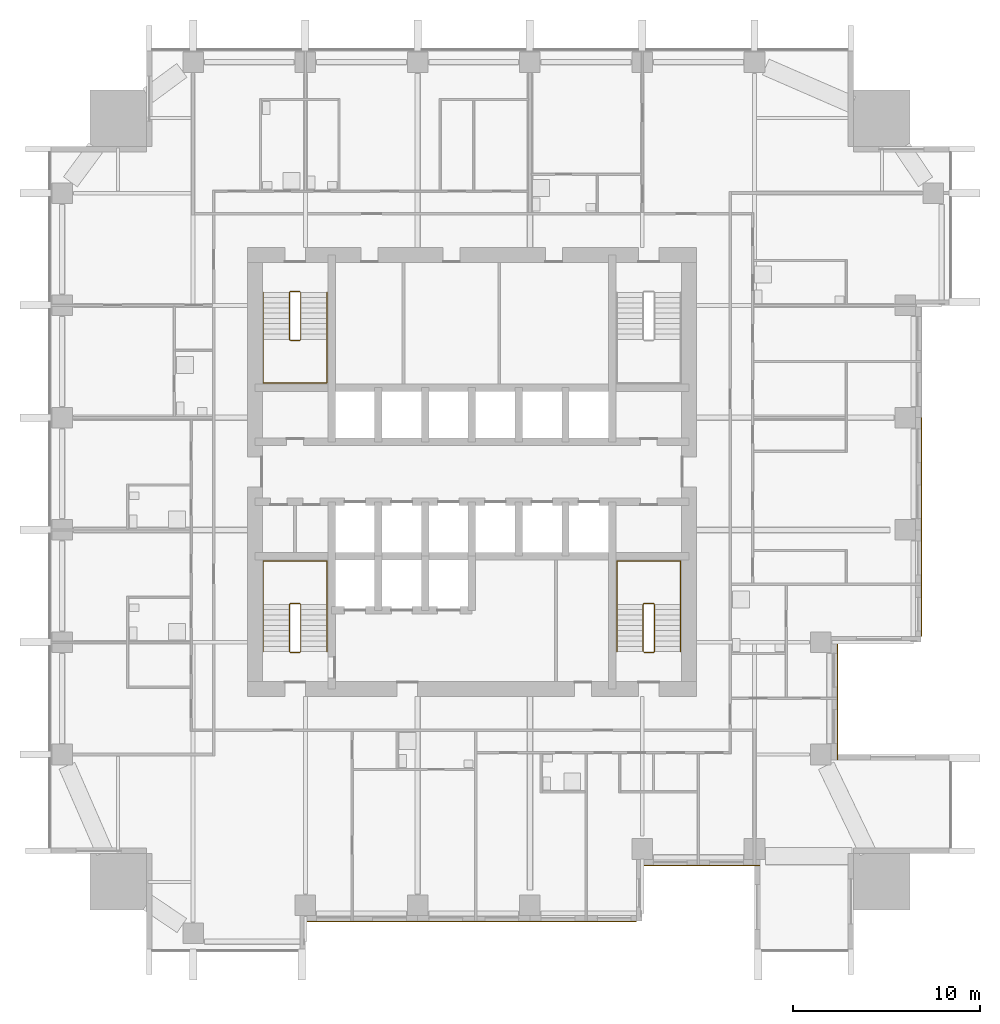
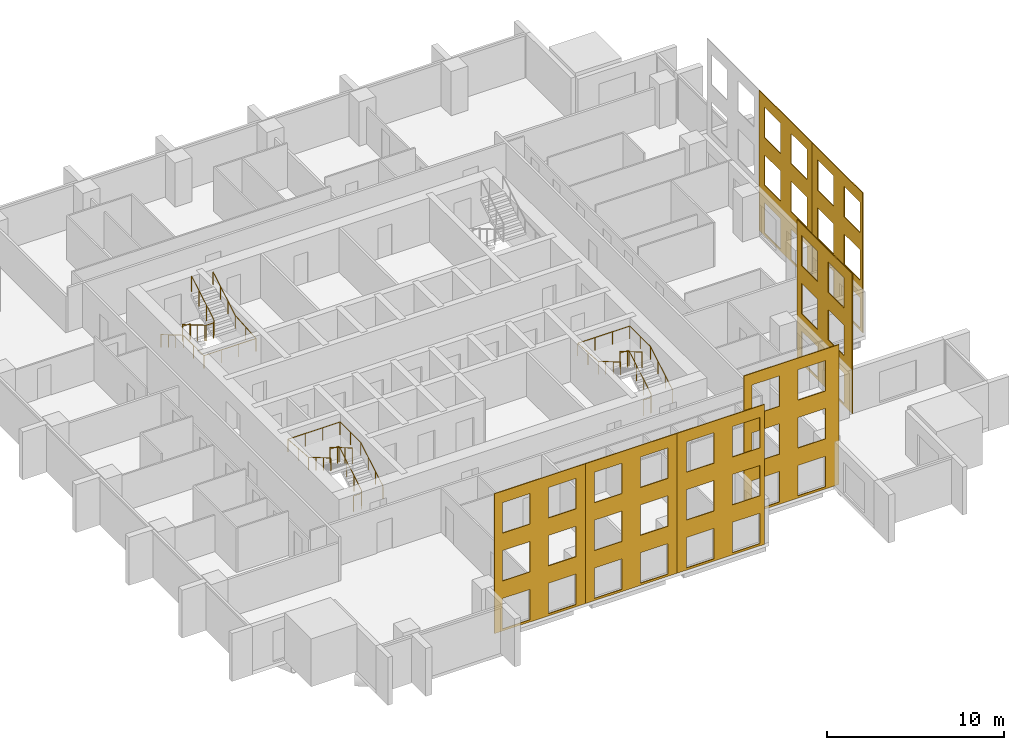
# One storey, part 11 of 13: 7 coverings, 6 railings.
"""IFC4 building model written with IfcOpenShell, lengths in metres."""

from ifc_helpers import new_model, si_unit, direction, frame, origin, origin_2d, place, context, subcontext, project, spatial, polyline, circle, outline, extrude, material, layer, layer_set, type_object, element, save


model = new_model("IFC4")

# Units and contexts
model_context = context("Model", 3, precision=1e-05, world=origin(), true_north=direction((0.0, 1.0)))
body_context = subcontext(model_context, "Body", "Model", "MODEL_VIEW")
ifc_project = project(units=[si_unit("LENGTHUNIT", "METRE"), si_unit("AREAUNIT", "SQUARE_METRE"), si_unit("VOLUMEUNIT", "CUBIC_METRE"), si_unit("PLANEANGLEUNIT", "RADIAN"), si_unit("MASSUNIT", "GRAM", prefix="KILO")], contexts=[model_context])

# Site, building, storey
site_placement = place(None, origin())
site = spatial("IfcSite", under=ifc_project, at=site_placement, CompositionType="ELEMENT")
building_placement = place(site_placement, origin())
building = spatial("IfcBuilding", under=site, at=building_placement, Name="Amberfall Residences", CompositionType="ELEMENT")
storey_placement = place(building_placement, frame((0.0, 0.0, 78.699951171875)))
storey = spatial("IfcBuildingStorey", under=building, at=storey_placement, Name="L20", CompositionType="ELEMENT", Elevation=78.699951171875)

# Coverings
ifc_material_1 = material(Name="Pale limestone cladding", Category="masonry")
ifc_layer = layer(ifc_material_1, 0.050048828125)
ifc_layer_set = layer_set([ifc_layer], Name="Limestone fascia 50")
covering_type = type_object("IfcCoveringType", Name="Limestone fascia 50", PredefinedType="CLADDING", material=ifc_layer_set)
covering_1_placement = place(storey_placement, frame((65.68994140625, 21.5, 9.650146484375), z_axis=(0.0, 1.0, 0.0), x_axis=(1.0, 0.0, 0.0)))
element("IfcCovering", 1, at=covering_1_placement, inside=storey, type_object=covering_type, Name="Pale limestone cladding L20-L22 S", PredefinedType="CLADDING", context=body_context, shape_type="SweptSolid", body=[
    extrude(outline(polyline([(0.0, 0.0), (5.91015625, 0.0), (5.91015625, 9.650146484375), (0.0, 9.650146484375), (0.0, 0.0)]), holes=[polyline([(0.510009765625, 7.400146484375), (2.31005859375, 7.400146484375), (2.31005859375, 9.5), (0.510009765625, 9.5), (0.510009765625, 7.400146484375)]), polyline([(3.510009765625, 7.400146484375), (5.31005859375, 7.400146484375), (5.31005859375, 9.5), (3.510009765625, 9.5), (3.510009765625, 7.400146484375)]), polyline([(0.510009765625, 4.10009765625), (2.31005859375, 4.10009765625), (2.31005859375, 6.2001953125), (0.510009765625, 6.2001953125), (0.510009765625, 4.10009765625)]), polyline([(3.510009765625, 4.10009765625), (5.31005859375, 4.10009765625), (5.31005859375, 6.2001953125), (3.510009765625, 6.2001953125), (3.510009765625, 4.10009765625)]), polyline([(0.510009765625, 0.800048828125), (2.31005859375, 0.800048828125), (2.31005859375, 2.900146484375), (0.510009765625, 2.900146484375), (0.510009765625, 0.800048828125)]), polyline([(3.510009765625, 0.800048828125), (5.31005859375, 0.800048828125), (5.31005859375, 2.900146484375), (3.510009765625, 2.900146484375), (3.510009765625, 0.800048828125)])]), origin(), (0.0, 0.0, -1.0), 0.050048828125),
])
covering_2_placement = place(storey_placement, frame((94.0, 30.10009765625, 9.650146484375), z_axis=(-1.0, 0.0, 0.0), x_axis=(0.0, 1.0, 0.0)))
element("IfcCovering", 2, at=covering_2_placement, inside=storey, type_object=covering_type, Name="Pale limestone cladding L20-L22 E", PredefinedType="CLADDING", context=body_context, shape_type="SweptSolid", body=[
    extrude(outline(polyline([(0.0, 0.0), (6.2099609375, 0.0), (6.2099609375, 9.650146484375), (0.0, 9.650146484375), (0.0, 0.0)]), holes=[polyline([(0.89990234375, 7.400146484375), (2.699951171875, 7.400146484375), (2.699951171875, 9.5), (0.89990234375, 9.5), (0.89990234375, 7.400146484375)]), polyline([(3.89990234375, 7.400146484375), (5.699951171875, 7.400146484375), (5.699951171875, 9.5), (3.89990234375, 9.5), (3.89990234375, 7.400146484375)]), polyline([(0.89990234375, 4.10009765625), (2.699951171875, 4.10009765625), (2.699951171875, 6.2001953125), (0.89990234375, 6.2001953125), (0.89990234375, 4.10009765625)]), polyline([(3.89990234375, 4.10009765625), (5.699951171875, 4.10009765625), (5.699951171875, 6.2001953125), (3.89990234375, 6.2001953125), (3.89990234375, 4.10009765625)]), polyline([(0.89990234375, 0.800048828125), (2.699951171875, 0.800048828125), (2.699951171875, 2.900146484375), (0.89990234375, 2.900146484375), (0.89990234375, 0.800048828125)]), polyline([(3.89990234375, 0.800048828125), (5.699951171875, 0.800048828125), (5.699951171875, 2.900146484375), (3.89990234375, 2.900146484375), (3.89990234375, 0.800048828125)])]), origin(), (0.0, 0.0, -1.0), 0.050048828125),
])
covering_3_placement = place(storey_placement, frame((71.60009765625, 21.5, 9.650146484375), z_axis=(0.0, 1.0, 0.0), x_axis=(1.0, 0.0, 0.0)))
element("IfcCovering", 3, at=covering_3_placement, inside=storey, type_object=covering_type, Name="Pale limestone cladding L20-L22 S", PredefinedType="CLADDING", context=body_context, shape_type="SweptSolid", body=[
    extrude(outline(polyline([(0.0, 0.0), (6.0, 0.0), (6.0, 9.650146484375), (0.0, 9.650146484375), (0.0, 0.0)]), holes=[polyline([(0.599853515625, 7.400146484375), (2.39990234375, 7.400146484375), (2.39990234375, 9.5), (0.599853515625, 9.5), (0.599853515625, 7.400146484375)]), polyline([(3.599853515625, 7.400146484375), (5.39990234375, 7.400146484375), (5.39990234375, 9.5), (3.599853515625, 9.5), (3.599853515625, 7.400146484375)]), polyline([(0.599853515625, 4.10009765625), (2.39990234375, 4.10009765625), (2.39990234375, 6.2001953125), (0.599853515625, 6.2001953125), (0.599853515625, 4.10009765625)]), polyline([(3.599853515625, 4.10009765625), (5.39990234375, 4.10009765625), (5.39990234375, 6.2001953125), (3.599853515625, 6.2001953125), (3.599853515625, 4.10009765625)]), polyline([(0.599853515625, 0.800048828125), (2.39990234375, 0.800048828125), (2.39990234375, 2.900146484375), (0.599853515625, 2.900146484375), (0.599853515625, 0.800048828125)]), polyline([(3.599853515625, 0.800048828125), (5.39990234375, 0.800048828125), (5.39990234375, 2.900146484375), (3.599853515625, 2.900146484375), (3.599853515625, 0.800048828125)])]), origin(), (0.0, 0.0, -1.0), 0.050048828125),
])
covering_4_placement = place(storey_placement, frame((77.60009765625, 21.5, 9.650146484375), z_axis=(0.0, 1.0, 0.0), x_axis=(1.0, 0.0, 0.0)))
element("IfcCovering", 4, at=covering_4_placement, inside=storey, type_object=covering_type, Name="Pale limestone cladding L20-L22 S", PredefinedType="CLADDING", context=body_context, shape_type="SweptSolid", body=[
    extrude(outline(polyline([(0.0, 0.0), (5.699951171875, 0.0), (5.699951171875, 9.650146484375), (0.0, 9.650146484375), (0.0, 0.0)]), holes=[polyline([(0.599853515625, 7.400146484375), (2.39990234375, 7.400146484375), (2.39990234375, 9.5), (0.599853515625, 9.5), (0.599853515625, 7.400146484375)]), polyline([(3.599853515625, 7.400146484375), (5.39990234375, 7.400146484375), (5.39990234375, 9.5), (3.599853515625, 9.5), (3.599853515625, 7.400146484375)]), polyline([(0.599853515625, 4.10009765625), (2.39990234375, 4.10009765625), (2.39990234375, 6.2001953125), (0.599853515625, 6.2001953125), (0.599853515625, 4.10009765625)]), polyline([(3.599853515625, 4.10009765625), (5.39990234375, 4.10009765625), (5.39990234375, 6.2001953125), (3.599853515625, 6.2001953125), (3.599853515625, 4.10009765625)]), polyline([(0.599853515625, 0.800048828125), (2.39990234375, 0.800048828125), (2.39990234375, 2.900146484375), (0.599853515625, 2.900146484375), (0.599853515625, 0.800048828125)]), polyline([(3.599853515625, 0.800048828125), (5.39990234375, 0.800048828125), (5.39990234375, 2.900146484375), (3.599853515625, 2.900146484375), (3.599853515625, 0.800048828125)])]), origin(), (0.0, 0.0, -1.0), 0.050048828125),
])
covering_5_placement = place(storey_placement, frame((83.68994140625, 24.5, 9.650146484375), z_axis=(0.0, 1.0, 0.0), x_axis=(1.0, 0.0, 0.0)))
element("IfcCovering", 5, at=covering_5_placement, inside=storey, type_object=covering_type, Name="Pale limestone cladding L20-L22 S", PredefinedType="CLADDING", context=body_context, shape_type="SweptSolid", body=[
    extrude(outline(polyline([(0.0, 0.0), (6.2099609375, 0.0), (6.2099609375, 9.650146484375), (0.0, 9.650146484375), (0.0, 0.0)]), holes=[polyline([(0.510009765625, 7.400146484375), (2.31005859375, 7.400146484375), (2.31005859375, 9.5), (0.510009765625, 9.5), (0.510009765625, 7.400146484375)]), polyline([(3.510009765625, 7.400146484375), (5.31005859375, 7.400146484375), (5.31005859375, 9.5), (3.510009765625, 9.5), (3.510009765625, 7.400146484375)]), polyline([(0.510009765625, 4.10009765625), (2.31005859375, 4.10009765625), (2.31005859375, 6.2001953125), (0.510009765625, 6.2001953125), (0.510009765625, 4.10009765625)]), polyline([(3.510009765625, 4.10009765625), (5.31005859375, 4.10009765625), (5.31005859375, 6.2001953125), (3.510009765625, 6.2001953125), (3.510009765625, 4.10009765625)]), polyline([(0.510009765625, 0.800048828125), (2.31005859375, 0.800048828125), (2.31005859375, 2.900146484375), (0.510009765625, 2.900146484375), (0.510009765625, 0.800048828125)]), polyline([(3.510009765625, 0.800048828125), (5.31005859375, 0.800048828125), (5.31005859375, 2.900146484375), (3.510009765625, 2.900146484375), (3.510009765625, 0.800048828125)])]), origin(), (0.0, 0.0, -1.0), 0.050048828125),
])
covering_6_placement = place(storey_placement, frame((98.5, 36.699951171875, 9.650146484375), z_axis=(-1.0, 0.0, 0.0), x_axis=(0.0, 1.0, 0.0)))
element("IfcCovering", 6, at=covering_6_placement, inside=storey, type_object=covering_type, Name="Pale limestone cladding L20-L22 E", PredefinedType="CLADDING", context=body_context, shape_type="SweptSolid", body=[
    extrude(outline(polyline([(0.0, 0.0), (5.699951171875, 0.0), (5.699951171875, 9.650146484375), (0.0, 9.650146484375), (0.0, 0.0)]), holes=[polyline([(0.300048828125, 7.400146484375), (2.10009765625, 7.400146484375), (2.10009765625, 9.5), (0.300048828125, 9.5), (0.300048828125, 7.400146484375)]), polyline([(3.300048828125, 7.400146484375), (5.10009765625, 7.400146484375), (5.10009765625, 9.5), (3.300048828125, 9.5), (3.300048828125, 7.400146484375)]), polyline([(0.300048828125, 4.10009765625), (2.10009765625, 4.10009765625), (2.10009765625, 6.2001953125), (0.300048828125, 6.2001953125), (0.300048828125, 4.10009765625)]), polyline([(3.300048828125, 4.10009765625), (5.10009765625, 4.10009765625), (5.10009765625, 6.2001953125), (3.300048828125, 6.2001953125), (3.300048828125, 4.10009765625)]), polyline([(0.300048828125, 0.800048828125), (2.10009765625, 0.800048828125), (2.10009765625, 2.900146484375), (0.300048828125, 2.900146484375), (0.300048828125, 0.800048828125)]), polyline([(3.300048828125, 0.800048828125), (5.10009765625, 0.800048828125), (5.10009765625, 2.900146484375), (3.300048828125, 2.900146484375), (3.300048828125, 0.800048828125)])]), origin(), (0.0, 0.0, -1.0), 0.050048828125),
])
covering_7_placement = place(storey_placement, frame((98.5, 42.39990234375, 9.650146484375), z_axis=(-1.0, 0.0, 0.0), x_axis=(0.0, 1.0, 0.0)))
element("IfcCovering", 7, at=covering_7_placement, inside=storey, type_object=covering_type, Name="Pale limestone cladding L20-L22 E", PredefinedType="CLADDING", context=body_context, shape_type="SweptSolid", body=[
    extrude(outline(polyline([(0.0, 0.0), (6.0, 0.0), (6.0, 9.650146484375), (0.0, 9.650146484375), (0.0, 0.0)]), holes=[polyline([(0.60009765625, 7.400146484375), (2.400146484375, 7.400146484375), (2.400146484375, 9.5), (0.60009765625, 9.5), (0.60009765625, 7.400146484375)]), polyline([(3.60009765625, 7.400146484375), (5.400146484375, 7.400146484375), (5.400146484375, 9.5), (3.60009765625, 9.5), (3.60009765625, 7.400146484375)]), polyline([(0.60009765625, 4.10009765625), (2.400146484375, 4.10009765625), (2.400146484375, 6.2001953125), (0.60009765625, 6.2001953125), (0.60009765625, 4.10009765625)]), polyline([(3.60009765625, 4.10009765625), (5.400146484375, 4.10009765625), (5.400146484375, 6.2001953125), (3.60009765625, 6.2001953125), (3.60009765625, 4.10009765625)]), polyline([(0.60009765625, 0.800048828125), (2.400146484375, 0.800048828125), (2.400146484375, 2.900146484375), (0.60009765625, 2.900146484375), (0.60009765625, 0.800048828125)]), polyline([(3.60009765625, 0.800048828125), (5.400146484375, 0.800048828125), (5.400146484375, 2.900146484375), (3.60009765625, 2.900146484375), (3.60009765625, 0.800048828125)])]), origin(), (0.0, 0.0, -1.0), 0.050048828125),
])

# Railings
ifc_material_2 = material(Name="Stainless steel 316", Category="steel")
railing_type_1 = type_object("IfcRailingType", Name="Stair guard 1100", PredefinedType="GUARDRAIL", material=ifc_material_2)
railing_1_placement = place(storey_placement, frame((64.800048828125, 35.85009765625, 0.0)))
element("IfcRailing", 8, at=railing_1_placement, inside=storey, type_object=railing_type_1, Name="L20 stair 1 guard", PredefinedType="GUARDRAIL", context=body_context, shape_type="SweptSolid", body=[
    extrude(circle(Radius=0.02392578125, at=origin_2d()), frame((0.0, 0.0, 1.076171875), z_axis=(1.0, 0.0, 0.0), x_axis=(0.0, 1.0, 0.0)), (0.0, 0.0, 1.0), 0.5),
    extrude(circle(Radius=0.02392578125, at=origin_2d()), frame((0.5, 0.0, 1.076171875), z_axis=(0.278810427259, 0.277450376394, 0.919394384522), x_axis=(-0.705375805398, 0.708833529934, 0.0)), (0.0, 0.0, 1.0), 0.179443359375),
    extrude(circle(Radius=0.02392578125, at=origin_2d()), frame((0.550048828125, 0.0498046875, 1.2412109375), z_axis=(0.0, 0.86152411907, 0.507716645641), x_axis=(-1.0, 0.0, 0.0)), (0.0, 0.0, 1.0), 2.925048828125),
    extrude(circle(Radius=0.02392578125, at=origin_2d()), frame((0.550048828125, 2.56982421875, 2.72607421875), z_axis=(-0.707106781187, 0.707106781187, 0.0), x_axis=(-0.707106781187, -0.707106781187, 0.0)), (0.0, 0.0, 1.0), 0.07080078125),
    extrude(circle(Radius=0.02392578125, at=origin_2d()), frame((0.5, 2.619873046875, 2.72607421875), z_axis=(-1.0, 0.0, 0.0), x_axis=(0.0, -1.0, 0.0)), (0.0, 0.0, 1.0), 0.5),
    extrude(circle(Radius=0.02392578125, at=origin_2d()), frame((0.0, 2.619873046875, 2.72607421875), z_axis=(-0.279053652268, -0.279053652268, 0.918835196492), x_axis=(0.707106781187, -0.707106781187, 0.0)), (0.0, 0.0, 1.0), 0.179443359375),
    extrude(circle(Radius=0.02392578125, at=origin_2d()), frame((-0.050048828125, 2.56982421875, 2.89111328125), z_axis=(0.0, -0.86152411907, 0.507716645641), x_axis=(1.0, 0.0, 0.0)), (0.0, 0.0, 1.0), 2.925048828125),
    extrude(circle(Radius=0.02099609375, at=origin_2d()), origin(), (0.0, 0.0, 1.0), 1.052001953125),
    extrude(circle(Radius=0.02099609375, at=origin_2d()), frame((0.5, 0.0, 0.0)), (0.0, 0.0, 1.0), 1.052001953125),
    extrude(circle(Radius=0.02099609375, at=origin_2d()), frame((0.550048828125, 0.0498046875, 0.1650390625)), (0.0, 0.0, 1.0), 1.052001953125),
    extrude(circle(Radius=0.02099609375, at=origin_2d()), frame((0.550048828125, 0.889892578125, 0.66015625)), (0.0, 0.0, 1.0), 1.052001953125),
    extrude(circle(Radius=0.02099609375, at=origin_2d()), frame((0.550048828125, 1.729736328125, 1.155029296875)), (0.0, 0.0, 1.0), 1.052001953125),
    extrude(circle(Radius=0.02099609375, at=origin_2d()), frame((0.550048828125, 2.56982421875, 1.650146484375)), (0.0, 0.0, 1.0), 1.052001953125),
    extrude(circle(Radius=0.02099609375, at=origin_2d()), frame((0.5, 2.619873046875, 1.650146484375)), (0.0, 0.0, 1.0), 1.052001953125),
    extrude(circle(Radius=0.02099609375, at=origin_2d()), frame((0.0, 2.619873046875, 1.650146484375)), (0.0, 0.0, 1.0), 1.052001953125),
    extrude(circle(Radius=0.02099609375, at=origin_2d()), frame((-0.050048828125, 2.56982421875, 1.81494140625)), (0.0, 0.0, 1.0), 1.052001953125),
    extrude(circle(Radius=0.02099609375, at=origin_2d()), frame((-0.050048828125, 1.729736328125, 2.31005859375)), (0.0, 0.0, 1.0), 1.052001953125),
    extrude(circle(Radius=0.02099609375, at=origin_2d()), frame((-0.050048828125, 0.889892578125, 2.804931640625)), (0.0, 0.0, 1.0), 1.052001953125),
    extrude(circle(Radius=0.02099609375, at=origin_2d()), frame((-0.050048828125, 0.0498046875, 3.300048828125)), (0.0, 0.0, 1.0), 1.052001953125),
])
railing_2_placement = place(storey_placement, frame((83.699951171875, 35.85009765625, 0.0)))
element("IfcRailing", 9, at=railing_2_placement, inside=storey, type_object=railing_type_1, Name="L20 stair 2 guard", PredefinedType="GUARDRAIL", context=body_context, shape_type="SweptSolid", body=[
    extrude(circle(Radius=0.02392578125, at=origin_2d()), frame((0.0, 0.0, 1.076171875), z_axis=(1.0, 0.0, 0.0), x_axis=(0.0, 1.0, 0.0)), (0.0, 0.0, 1.0), 0.5),
    extrude(circle(Radius=0.02392578125, at=origin_2d()), frame((0.5, 0.0, 1.076171875), z_axis=(0.278810427259, 0.277450376394, 0.919394384522), x_axis=(-0.705375805398, 0.708833529934, 0.0)), (0.0, 0.0, 1.0), 0.179443359375),
    extrude(circle(Radius=0.02392578125, at=origin_2d()), frame((0.550048828125, 0.0498046875, 1.2412109375), z_axis=(0.0, 0.86152411907, 0.507716645641), x_axis=(-1.0, 0.0, 0.0)), (0.0, 0.0, 1.0), 2.925048828125),
    extrude(circle(Radius=0.02392578125, at=origin_2d()), frame((0.550048828125, 2.56982421875, 2.72607421875), z_axis=(-0.707106781187, 0.707106781187, 0.0), x_axis=(-0.707106781187, -0.707106781187, 0.0)), (0.0, 0.0, 1.0), 0.07080078125),
    extrude(circle(Radius=0.02392578125, at=origin_2d()), frame((0.5, 2.619873046875, 2.72607421875), z_axis=(-1.0, 0.0, 0.0), x_axis=(0.0, -1.0, 0.0)), (0.0, 0.0, 1.0), 0.5),
    extrude(circle(Radius=0.02392578125, at=origin_2d()), frame((0.0, 2.619873046875, 2.72607421875), z_axis=(-0.279053652268, -0.279053652268, 0.918835196492), x_axis=(0.707106781187, -0.707106781187, 0.0)), (0.0, 0.0, 1.0), 0.179443359375),
    extrude(circle(Radius=0.02392578125, at=origin_2d()), frame((-0.050048828125, 2.56982421875, 2.89111328125), z_axis=(0.0, -0.86152411907, 0.507716645641), x_axis=(1.0, 0.0, 0.0)), (0.0, 0.0, 1.0), 2.925048828125),
    extrude(circle(Radius=0.02099609375, at=origin_2d()), origin(), (0.0, 0.0, 1.0), 1.052001953125),
    extrude(circle(Radius=0.02099609375, at=origin_2d()), frame((0.5, 0.0, 0.0)), (0.0, 0.0, 1.0), 1.052001953125),
    extrude(circle(Radius=0.02099609375, at=origin_2d()), frame((0.550048828125, 0.0498046875, 0.1650390625)), (0.0, 0.0, 1.0), 1.052001953125),
    extrude(circle(Radius=0.02099609375, at=origin_2d()), frame((0.550048828125, 0.889892578125, 0.66015625)), (0.0, 0.0, 1.0), 1.052001953125),
    extrude(circle(Radius=0.02099609375, at=origin_2d()), frame((0.550048828125, 1.729736328125, 1.155029296875)), (0.0, 0.0, 1.0), 1.052001953125),
    extrude(circle(Radius=0.02099609375, at=origin_2d()), frame((0.550048828125, 2.56982421875, 1.650146484375)), (0.0, 0.0, 1.0), 1.052001953125),
    extrude(circle(Radius=0.02099609375, at=origin_2d()), frame((0.5, 2.619873046875, 1.650146484375)), (0.0, 0.0, 1.0), 1.052001953125),
    extrude(circle(Radius=0.02099609375, at=origin_2d()), frame((0.0, 2.619873046875, 1.650146484375)), (0.0, 0.0, 1.0), 1.052001953125),
    extrude(circle(Radius=0.02099609375, at=origin_2d()), frame((-0.050048828125, 2.56982421875, 1.81494140625)), (0.0, 0.0, 1.0), 1.052001953125),
    extrude(circle(Radius=0.02099609375, at=origin_2d()), frame((-0.050048828125, 1.729736328125, 2.31005859375)), (0.0, 0.0, 1.0), 1.052001953125),
    extrude(circle(Radius=0.02099609375, at=origin_2d()), frame((-0.050048828125, 0.889892578125, 2.804931640625)), (0.0, 0.0, 1.0), 1.052001953125),
    extrude(circle(Radius=0.02099609375, at=origin_2d()), frame((-0.050048828125, 0.0498046875, 3.300048828125)), (0.0, 0.0, 1.0), 1.052001953125),
])
railing_3_placement = place(storey_placement, frame((65.300048828125, 55.14990234375, 0.0)))
element("IfcRailing", 10, at=railing_3_placement, inside=storey, type_object=railing_type_1, Name="L20 stair 4 guard", PredefinedType="GUARDRAIL", context=body_context, shape_type="SweptSolid", body=[
    extrude(circle(Radius=0.02392578125, at=origin_2d()), frame((0.0, 0.0, 1.076171875), z_axis=(-1.0, 0.0, 0.0), x_axis=(0.0, -1.0, 0.0)), (0.0, 0.0, 1.0), 0.5),
    extrude(circle(Radius=0.02392578125, at=origin_2d()), frame((-0.5, 0.0, 1.076171875), z_axis=(-0.278810427259, -0.277450376394, 0.919394384522), x_axis=(0.705375805398, -0.708833529934, 0.0)), (0.0, 0.0, 1.0), 0.179443359375),
    extrude(circle(Radius=0.02392578125, at=origin_2d()), frame((-0.550048828125, -0.0498046875, 1.2412109375), z_axis=(0.0, -0.86152411907, 0.507716645641), x_axis=(1.0, 0.0, 0.0)), (0.0, 0.0, 1.0), 2.925048828125),
    extrude(circle(Radius=0.02392578125, at=origin_2d()), frame((-0.550048828125, -2.56982421875, 2.72607421875), z_axis=(0.707106781187, -0.707106781187, 0.0), x_axis=(0.707106781187, 0.707106781187, 0.0)), (0.0, 0.0, 1.0), 0.07080078125),
    extrude(circle(Radius=0.02392578125, at=origin_2d()), frame((-0.5, -2.619873046875, 2.72607421875), z_axis=(1.0, 0.0, 0.0), x_axis=(0.0, 1.0, 0.0)), (0.0, 0.0, 1.0), 0.5),
    extrude(circle(Radius=0.02392578125, at=origin_2d()), frame((0.0, -2.619873046875, 2.72607421875), z_axis=(0.279053652268, 0.279053652268, 0.918835196492), x_axis=(-0.707106781187, 0.707106781187, 0.0)), (0.0, 0.0, 1.0), 0.179443359375),
    extrude(circle(Radius=0.02392578125, at=origin_2d()), frame((0.050048828125, -2.56982421875, 2.89111328125), z_axis=(0.0, 0.86152411907, 0.507716645641), x_axis=(-1.0, 0.0, 0.0)), (0.0, 0.0, 1.0), 2.925048828125),
    extrude(circle(Radius=0.02099609375, at=origin_2d()), origin(), (0.0, 0.0, 1.0), 1.052001953125),
    extrude(circle(Radius=0.02099609375, at=origin_2d()), frame((-0.5, 0.0, 0.0)), (0.0, 0.0, 1.0), 1.052001953125),
    extrude(circle(Radius=0.02099609375, at=origin_2d()), frame((-0.550048828125, -0.0498046875, 0.1650390625)), (0.0, 0.0, 1.0), 1.052001953125),
    extrude(circle(Radius=0.02099609375, at=origin_2d()), frame((-0.550048828125, -0.889892578125, 0.66015625)), (0.0, 0.0, 1.0), 1.052001953125),
    extrude(circle(Radius=0.02099609375, at=origin_2d()), frame((-0.550048828125, -1.729736328125, 1.155029296875)), (0.0, 0.0, 1.0), 1.052001953125),
    extrude(circle(Radius=0.02099609375, at=origin_2d()), frame((-0.550048828125, -2.56982421875, 1.650146484375)), (0.0, 0.0, 1.0), 1.052001953125),
    extrude(circle(Radius=0.02099609375, at=origin_2d()), frame((-0.5, -2.619873046875, 1.650146484375)), (0.0, 0.0, 1.0), 1.052001953125),
    extrude(circle(Radius=0.02099609375, at=origin_2d()), frame((0.0, -2.619873046875, 1.650146484375)), (0.0, 0.0, 1.0), 1.052001953125),
    extrude(circle(Radius=0.02099609375, at=origin_2d()), frame((0.050048828125, -2.56982421875, 1.81494140625)), (0.0, 0.0, 1.0), 1.052001953125),
    extrude(circle(Radius=0.02099609375, at=origin_2d()), frame((0.050048828125, -1.729736328125, 2.31005859375)), (0.0, 0.0, 1.0), 1.052001953125),
    extrude(circle(Radius=0.02099609375, at=origin_2d()), frame((0.050048828125, -0.889892578125, 2.804931640625)), (0.0, 0.0, 1.0), 1.052001953125),
    extrude(circle(Radius=0.02099609375, at=origin_2d()), frame((0.050048828125, -0.0498046875, 3.300048828125)), (0.0, 0.0, 1.0), 1.052001953125),
])
railing_type_2 = type_object("IfcRailingType", Name="Stair handrail 900", PredefinedType="HANDRAIL", material=ifc_material_2)
railing_4_placement = place(storey_placement, frame((66.75, 35.89990234375, 0.1650390625)))
element("IfcRailing", 11, at=railing_4_placement, inside=storey, type_object=railing_type_2, Name="L20 stair 1 handrail", PredefinedType="HANDRAIL", context=body_context, shape_type="SweptSolid", body=[
    extrude(circle(Radius=0.02392578125, at=origin_2d()), frame((0.0, 0.0, 0.8759765625), z_axis=(0.0, 0.86152411907, 0.507716645641), x_axis=(-1.0, 0.0, 0.0)), (0.0, 0.0, 1.0), 2.925048828125),
    extrude(circle(Radius=0.02392578125, at=origin_2d()), frame((0.0, 2.52001953125, 2.36083984375), z_axis=(0.0, 1.0, 0.0), x_axis=(-1.0, 0.0, 0.0)), (0.0, 0.0, 1.0), 2.330078125),
    extrude(circle(Radius=0.02392578125, at=origin_2d()), frame((0.0, 4.85009765625, 2.36083984375), z_axis=(-1.0, 0.0, 0.0), x_axis=(0.0, -1.0, 0.0)), (0.0, 0.0, 1.0), 3.39990234375),
    extrude(circle(Radius=0.02392578125, at=origin_2d()), frame((-3.39990234375, 4.85009765625, 2.36083984375), z_axis=(0.0, -0.997508326432, 0.070548839097), x_axis=(1.0, 0.0, 0.0)), (0.0, 0.0, 1.0), 2.3359375),
    extrude(circle(Radius=0.02392578125, at=origin_2d()), frame((-3.39990234375, 2.52001953125, 2.52587890625), z_axis=(0.0, -0.86152411907, 0.507716645641), x_axis=(1.0, 0.0, 0.0)), (0.0, 0.0, 1.0), 2.925048828125),
    extrude(circle(Radius=0.02099609375, at=origin_2d()), origin(), (0.0, 0.0, 1.0), 0.851806640625),
    extrude(circle(Radius=0.02099609375, at=origin_2d()), frame((0.0, 0.840087890625, 0.4951171875)), (0.0, 0.0, 1.0), 0.851806640625),
    extrude(circle(Radius=0.02099609375, at=origin_2d()), frame((0.0, 1.679931640625, 0.989990234375)), (0.0, 0.0, 1.0), 0.851806640625),
    extrude(circle(Radius=0.02099609375, at=origin_2d()), frame((0.0, 2.52001953125, 1.485107421875)), (0.0, 0.0, 1.0), 0.851806640625),
    extrude(circle(Radius=0.02099609375, at=origin_2d()), frame((0.0, 3.68505859375, 1.485107421875)), (0.0, 0.0, 1.0), 0.851806640625),
    extrude(circle(Radius=0.02099609375, at=origin_2d()), frame((0.0, 4.85009765625, 1.485107421875)), (0.0, 0.0, 1.0), 0.851806640625),
    extrude(circle(Radius=0.02099609375, at=origin_2d()), frame((-1.13330078125, 4.85009765625, 1.485107421875)), (0.0, 0.0, 1.0), 0.851806640625),
    extrude(circle(Radius=0.02099609375, at=origin_2d()), frame((-2.2666015625, 4.85009765625, 1.485107421875)), (0.0, 0.0, 1.0), 0.851806640625),
    extrude(circle(Radius=0.02099609375, at=origin_2d()), frame((-3.39990234375, 4.85009765625, 1.485107421875)), (0.0, 0.0, 1.0), 0.851806640625),
    extrude(circle(Radius=0.02099609375, at=origin_2d()), frame((-3.39990234375, 3.68505859375, 1.5673828125)), (0.0, 0.0, 1.0), 0.851806640625),
    extrude(circle(Radius=0.02099609375, at=origin_2d()), frame((-3.39990234375, 2.52001953125, 1.64990234375)), (0.0, 0.0, 1.0), 0.851806640625),
    extrude(circle(Radius=0.02099609375, at=origin_2d()), frame((-3.39990234375, 1.679931640625, 2.14501953125)), (0.0, 0.0, 1.0), 0.851806640625),
    extrude(circle(Radius=0.02099609375, at=origin_2d()), frame((-3.39990234375, 0.840087890625, 2.639892578125)), (0.0, 0.0, 1.0), 0.851806640625),
    extrude(circle(Radius=0.02099609375, at=origin_2d()), frame((-3.39990234375, 0.0, 3.135009765625)), (0.0, 0.0, 1.0), 0.851806640625),
])
railing_5_placement = place(storey_placement, frame((85.64990234375, 35.89990234375, 0.1650390625)))
element("IfcRailing", 12, at=railing_5_placement, inside=storey, type_object=railing_type_2, Name="L20 stair 2 handrail", PredefinedType="HANDRAIL", context=body_context, shape_type="SweptSolid", body=[
    extrude(circle(Radius=0.02392578125, at=origin_2d()), frame((0.0, 0.0, 0.8759765625), z_axis=(0.0, 0.86152411907, 0.507716645641), x_axis=(-1.0, 0.0, 0.0)), (0.0, 0.0, 1.0), 2.925048828125),
    extrude(circle(Radius=0.02392578125, at=origin_2d()), frame((0.0, 2.52001953125, 2.36083984375), z_axis=(0.0, 1.0, 0.0), x_axis=(-1.0, 0.0, 0.0)), (0.0, 0.0, 1.0), 2.330078125),
    extrude(circle(Radius=0.02392578125, at=origin_2d()), frame((0.0, 4.85009765625, 2.36083984375), z_axis=(-1.0, 0.0, 0.0), x_axis=(0.0, -1.0, 0.0)), (0.0, 0.0, 1.0), 3.39990234375),
    extrude(circle(Radius=0.02392578125, at=origin_2d()), frame((-3.39990234375, 4.85009765625, 2.36083984375), z_axis=(0.0, -0.997508326432, 0.070548839097), x_axis=(1.0, 0.0, 0.0)), (0.0, 0.0, 1.0), 2.3359375),
    extrude(circle(Radius=0.02392578125, at=origin_2d()), frame((-3.39990234375, 2.52001953125, 2.52587890625), z_axis=(0.0, -0.86152411907, 0.507716645641), x_axis=(1.0, 0.0, 0.0)), (0.0, 0.0, 1.0), 2.925048828125),
    extrude(circle(Radius=0.02099609375, at=origin_2d()), origin(), (0.0, 0.0, 1.0), 0.851806640625),
    extrude(circle(Radius=0.02099609375, at=origin_2d()), frame((0.0, 0.840087890625, 0.4951171875)), (0.0, 0.0, 1.0), 0.851806640625),
    extrude(circle(Radius=0.02099609375, at=origin_2d()), frame((0.0, 1.679931640625, 0.989990234375)), (0.0, 0.0, 1.0), 0.851806640625),
    extrude(circle(Radius=0.02099609375, at=origin_2d()), frame((0.0, 2.52001953125, 1.485107421875)), (0.0, 0.0, 1.0), 0.851806640625),
    extrude(circle(Radius=0.02099609375, at=origin_2d()), frame((0.0, 3.68505859375, 1.485107421875)), (0.0, 0.0, 1.0), 0.851806640625),
    extrude(circle(Radius=0.02099609375, at=origin_2d()), frame((0.0, 4.85009765625, 1.485107421875)), (0.0, 0.0, 1.0), 0.851806640625),
    extrude(circle(Radius=0.02099609375, at=origin_2d()), frame((-1.13330078125, 4.85009765625, 1.485107421875)), (0.0, 0.0, 1.0), 0.851806640625),
    extrude(circle(Radius=0.02099609375, at=origin_2d()), frame((-2.2666015625, 4.85009765625, 1.485107421875)), (0.0, 0.0, 1.0), 0.851806640625),
    extrude(circle(Radius=0.02099609375, at=origin_2d()), frame((-3.39990234375, 4.85009765625, 1.485107421875)), (0.0, 0.0, 1.0), 0.851806640625),
    extrude(circle(Radius=0.02099609375, at=origin_2d()), frame((-3.39990234375, 3.68505859375, 1.5673828125)), (0.0, 0.0, 1.0), 0.851806640625),
    extrude(circle(Radius=0.02099609375, at=origin_2d()), frame((-3.39990234375, 2.52001953125, 1.64990234375)), (0.0, 0.0, 1.0), 0.851806640625),
    extrude(circle(Radius=0.02099609375, at=origin_2d()), frame((-3.39990234375, 1.679931640625, 2.14501953125)), (0.0, 0.0, 1.0), 0.851806640625),
    extrude(circle(Radius=0.02099609375, at=origin_2d()), frame((-3.39990234375, 0.840087890625, 2.639892578125)), (0.0, 0.0, 1.0), 0.851806640625),
    extrude(circle(Radius=0.02099609375, at=origin_2d()), frame((-3.39990234375, 0.0, 3.135009765625)), (0.0, 0.0, 1.0), 0.851806640625),
])
railing_6_placement = place(storey_placement, frame((63.35009765625, 55.10009765625, 0.1650390625)))
element("IfcRailing", 13, at=railing_6_placement, inside=storey, type_object=railing_type_2, Name="L20 stair 4 handrail", PredefinedType="HANDRAIL", context=body_context, shape_type="SweptSolid", body=[
    extrude(circle(Radius=0.02392578125, at=origin_2d()), frame((0.0, 0.0, 0.8759765625), z_axis=(0.0, -0.86152411907, 0.507716645641), x_axis=(1.0, 0.0, 0.0)), (0.0, 0.0, 1.0), 2.925048828125),
    extrude(circle(Radius=0.02392578125, at=origin_2d()), frame((0.0, -2.52001953125, 2.36083984375), z_axis=(0.0, -1.0, 0.0), x_axis=(1.0, 0.0, 0.0)), (0.0, 0.0, 1.0), 2.330078125),
    extrude(circle(Radius=0.02392578125, at=origin_2d()), frame((0.0, -4.85009765625, 2.36083984375), z_axis=(1.0, 0.0, 0.0), x_axis=(0.0, 1.0, 0.0)), (0.0, 0.0, 1.0), 3.39990234375),
    extrude(circle(Radius=0.02392578125, at=origin_2d()), frame((3.39990234375, -4.85009765625, 2.36083984375), z_axis=(0.0, 0.997508326432, 0.070548839097), x_axis=(-1.0, 0.0, 0.0)), (0.0, 0.0, 1.0), 2.3359375),
    extrude(circle(Radius=0.02392578125, at=origin_2d()), frame((3.39990234375, -2.52001953125, 2.52587890625), z_axis=(0.0, 0.86152411907, 0.507716645641), x_axis=(-1.0, 0.0, 0.0)), (0.0, 0.0, 1.0), 2.925048828125),
    extrude(circle(Radius=0.02099609375, at=origin_2d()), origin(), (0.0, 0.0, 1.0), 0.851806640625),
    extrude(circle(Radius=0.02099609375, at=origin_2d()), frame((0.0, -0.840087890625, 0.4951171875)), (0.0, 0.0, 1.0), 0.851806640625),
    extrude(circle(Radius=0.02099609375, at=origin_2d()), frame((0.0, -1.679931640625, 0.989990234375)), (0.0, 0.0, 1.0), 0.851806640625),
    extrude(circle(Radius=0.02099609375, at=origin_2d()), frame((0.0, -2.52001953125, 1.485107421875)), (0.0, 0.0, 1.0), 0.851806640625),
    extrude(circle(Radius=0.02099609375, at=origin_2d()), frame((0.0, -3.68505859375, 1.485107421875)), (0.0, 0.0, 1.0), 0.851806640625),
    extrude(circle(Radius=0.02099609375, at=origin_2d()), frame((0.0, -4.85009765625, 1.485107421875)), (0.0, 0.0, 1.0), 0.851806640625),
    extrude(circle(Radius=0.02099609375, at=origin_2d()), frame((1.13330078125, -4.85009765625, 1.485107421875)), (0.0, 0.0, 1.0), 0.851806640625),
    extrude(circle(Radius=0.02099609375, at=origin_2d()), frame((2.2666015625, -4.85009765625, 1.485107421875)), (0.0, 0.0, 1.0), 0.851806640625),
    extrude(circle(Radius=0.02099609375, at=origin_2d()), frame((3.39990234375, -4.85009765625, 1.485107421875)), (0.0, 0.0, 1.0), 0.851806640625),
    extrude(circle(Radius=0.02099609375, at=origin_2d()), frame((3.39990234375, -3.68505859375, 1.5673828125)), (0.0, 0.0, 1.0), 0.851806640625),
    extrude(circle(Radius=0.02099609375, at=origin_2d()), frame((3.39990234375, -2.52001953125, 1.64990234375)), (0.0, 0.0, 1.0), 0.851806640625),
    extrude(circle(Radius=0.02099609375, at=origin_2d()), frame((3.39990234375, -1.679931640625, 2.14501953125)), (0.0, 0.0, 1.0), 0.851806640625),
    extrude(circle(Radius=0.02099609375, at=origin_2d()), frame((3.39990234375, -0.840087890625, 2.639892578125)), (0.0, 0.0, 1.0), 0.851806640625),
    extrude(circle(Radius=0.02099609375, at=origin_2d()), frame((3.39990234375, 0.0, 3.135009765625)), (0.0, 0.0, 1.0), 0.851806640625),
])

save(model, "model.ifc")
